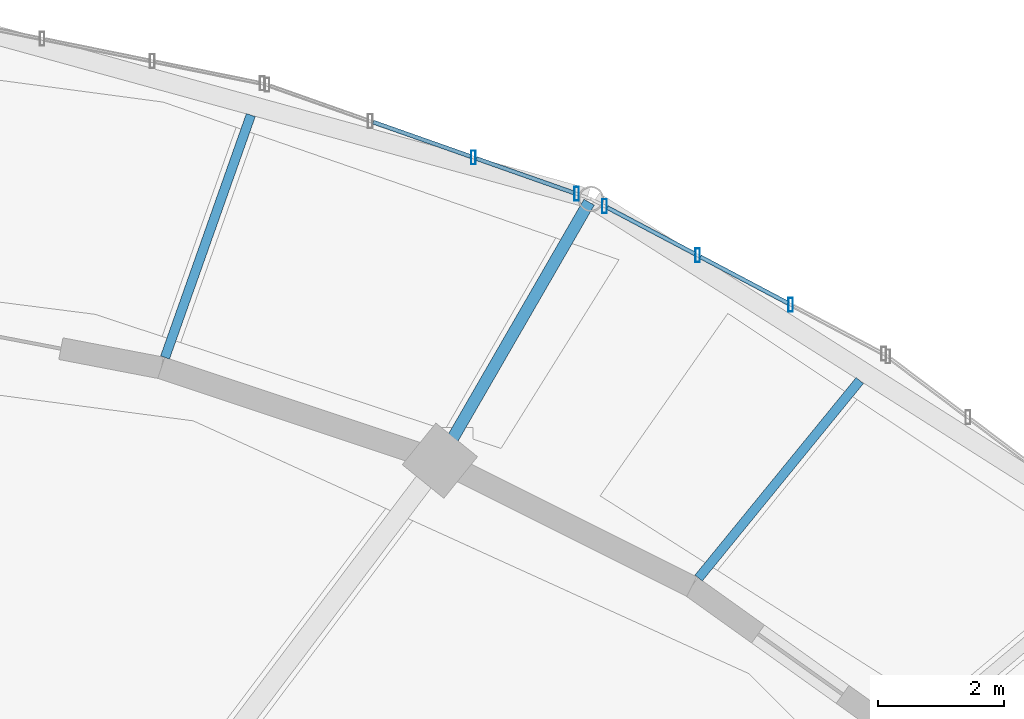
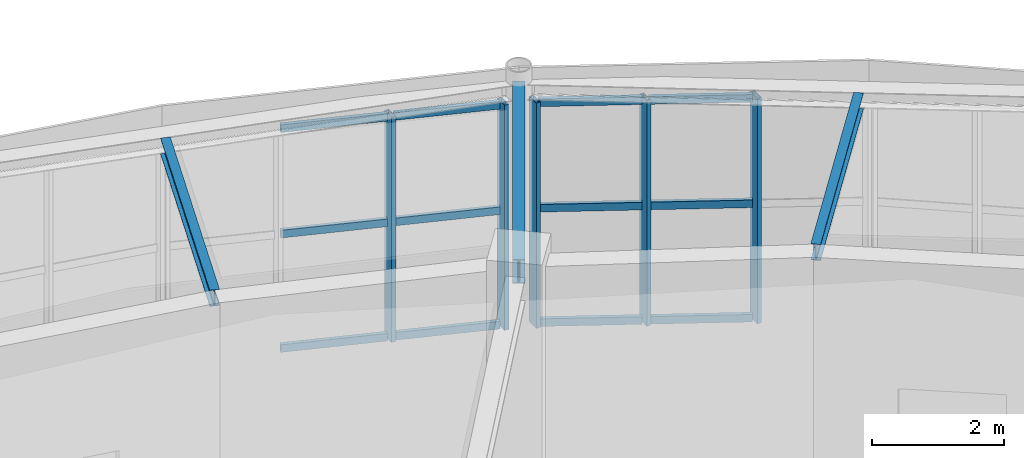
# One storey, part 51 of 100: 17 members, 3 beams, 2 elements without a shape of their own.
"""IFC4 building model written with IfcOpenShell, lengths in metres."""

from ifc_helpers import new_model, si_unit, direction, frame, origin, origin_2d, place, context, subcontext, project, spatial, hollow_rectangle, i_section, extrude, material, material_profile, profile_set, type_object, element, aggregate, save


model = new_model("IFC4")

# Units and contexts
model_context = context("Model", 3, precision=1e-05, world=origin(), true_north=direction((0.0, 1.0)))
body_context = subcontext(model_context, "Body", "Model", "MODEL_VIEW")
ifc_project = project(units=[si_unit("LENGTHUNIT", "METRE"), si_unit("AREAUNIT", "SQUARE_METRE"), si_unit("VOLUMEUNIT", "CUBIC_METRE"), si_unit("PLANEANGLEUNIT", "RADIAN"), si_unit("MASSUNIT", "GRAM", prefix="KILO")], contexts=[model_context])

# Site, building, storey
site_placement = place(None, origin())
site = spatial("IfcSite", under=ifc_project, at=site_placement, CompositionType="ELEMENT")
building_placement = place(site_placement, origin())
building = spatial("IfcBuilding", under=site, at=building_placement, Name="Tarnveldt Headland Concert Hall", CompositionType="ELEMENT")
storey_placement = place(building_placement, frame((0.0, 0.0, 4.800048828125)))
storey = spatial("IfcBuildingStorey", under=building, at=storey_placement, Name="L01", CompositionType="ELEMENT", Elevation=4.800048828125)

# Curtain wall, members
ifc_material_1 = material(Name="Marine-anodised aluminium EN AW-6063-T6", Category="aluminium")
curtain_wall_type = type_object("IfcCurtainWallType", Name="CW-F2", PredefinedType="NOTDEFINED", material=ifc_material_1)
curtain_wall_1_placement = place(storey_placement, origin())
curtain_wall_1 = element("IfcCurtainWall", 1, at=curtain_wall_1_placement, inside=storey, type_object=curtain_wall_type, Name="Curtain wall CW-L01-032", PredefinedType="NOTDEFINED")
ifc_material_profile_1 = material_profile(ifc_material_1, hollow_rectangle(XDim=0.074951171875, YDim=0.219970703125, WallThickness=0.0048828125, at=origin_2d()), Name="ALU MULLION 75x220x5", Category="aluminium")
ifc_profile_set_1 = profile_set([ifc_material_profile_1], Name="Marine-anodised aluminium EN AW-6063-T6")
member_type_1 = type_object("IfcMemberType", Name="ML-200", PredefinedType="MULLION", material=ifc_profile_set_1)
member_1_placement = place(storey_placement, frame((103.0703125, 74.298828125, 0.0), z_axis=(0.0, 0.0, 1.0), x_axis=(1.0, 0.0, 0.0)))
member_1 = element("IfcMember", 2, at=member_1_placement, type_object=member_type_1, Name="Mullion CW-L01-032-2", PredefinedType="MULLION", context=body_context, shape_type="SweptSolid", body=[
    extrude(hollow_rectangle(XDim=0.074951171875, YDim=0.219970703125, WallThickness=0.0048828125, at=origin_2d()), origin(), (0.0, 0.0, 1.0), 4.159912109375),
])
member_2_placement = place(storey_placement, frame((101.592529296875, 75.081298828125, 0.0), z_axis=(0.0, 0.0, 1.0), x_axis=(1.0, 0.0, 0.0)))
member_2 = element("IfcMember", 3, at=member_2_placement, type_object=member_type_1, Name="Mullion CW-L01-032-3", PredefinedType="MULLION", context=body_context, shape_type="SweptSolid", body=[
    extrude(hollow_rectangle(XDim=0.074951171875, YDim=0.219970703125, WallThickness=0.0048828125, at=origin_2d()), origin(), (0.0, 0.0, 1.0), 4.159912109375),
])
member_3_placement = place(storey_placement, frame((100.114990234375, 75.863525390625, 0.0), z_axis=(0.0, 0.0, 1.0), x_axis=(1.0, 0.0, 0.0)))
member_3 = element("IfcMember", 4, at=member_3_placement, type_object=member_type_1, Name="Mullion CW-L01-032-4", PredefinedType="MULLION", context=body_context, shape_type="SweptSolid", body=[
    extrude(hollow_rectangle(XDim=0.074951171875, YDim=0.219970703125, WallThickness=0.0048828125, at=origin_2d()), origin(), (0.0, 0.0, 1.0), 4.159912109375),
])

curtain_wall_2_placement = place(storey_placement, origin())
curtain_wall_2 = element("IfcCurtainWall", 5, at=curtain_wall_2_placement, inside=storey, type_object=curtain_wall_type, Name="Curtain wall CW-L01-033", PredefinedType="NOTDEFINED")
member_4_placement = place(storey_placement, frame((99.670654296875, 76.058349609375, 0.0), z_axis=(0.0, 0.0, 1.0), x_axis=(1.0, 0.0, 0.0)))
member_4 = element("IfcMember", 6, at=member_4_placement, type_object=member_type_1, Name="Mullion CW-L01-033-1", PredefinedType="MULLION", context=body_context, shape_type="SweptSolid", body=[
    extrude(hollow_rectangle(XDim=0.074951171875, YDim=0.219970703125, WallThickness=0.0048828125, at=origin_2d()), origin(), (0.0, 0.0, 1.0), 4.159912109375),
])
member_5_placement = place(storey_placement, frame((98.032470703125, 76.635986328125, 0.0), z_axis=(0.0, 0.0, 1.0), x_axis=(1.0, 0.0, 0.0)))
member_5 = element("IfcMember", 7, at=member_5_placement, type_object=member_type_1, Name="Mullion CW-L01-033-2", PredefinedType="MULLION", context=body_context, shape_type="SweptSolid", body=[
    extrude(hollow_rectangle(XDim=0.074951171875, YDim=0.219970703125, WallThickness=0.0048828125, at=origin_2d()), origin(), (0.0, 0.0, 1.0), 4.159912109375),
])

# Beams
ifc_material_2 = material(Name="Steel S355", Category="steel")
ifc_material_profile_2 = material_profile(ifc_material_2, i_section(OverallWidth=0.14990234375, OverallDepth=0.300048828125, WebThickness=0.007080078125, FlangeThickness=0.0107421875, FilletRadius=0.014892578125, at=origin_2d()), Name="IPE300", Category="steel")
ifc_profile_set_2 = profile_set([ifc_material_profile_2], Name="Steel S355")
beam_type_1 = type_object("IfcBeamType", Name="SB-IPE300", PredefinedType="JOIST", material=ifc_profile_set_2)
beam_1_placement = place(storey_placement, frame((101.608642578125, 69.95654296875, 4.389892578125), z_axis=(0.63225535632, 0.774760068928, 0.0), x_axis=(-0.774760068928, 0.63225535632, 0.0)))
element("IfcBeam", 8, at=beam_1_placement, inside=storey, type_object=beam_type_1, Name="Framing beam L01-686", PredefinedType="JOIST", context=body_context, shape_type="SweptSolid", body=[
    extrude(i_section(OverallWidth=0.14990234375, OverallDepth=0.300048828125, WebThickness=0.007080078125, FlangeThickness=0.0107421875, FilletRadius=0.014892578125, at=origin_2d()), origin(), (0.0, 0.0, 1.0), 4.04833984375),
])
beam_2_placement = place(storey_placement, frame((93.135009765625, 73.458984375, 4.389892578125), z_axis=(0.33369553072, 0.942680907188, 0.0), x_axis=(-0.942680907188, 0.33369553072, 0.0)))
element("IfcBeam", 9, at=beam_2_placement, inside=storey, type_object=beam_type_1, Name="Framing beam L01-689", PredefinedType="JOIST", context=body_context, shape_type="SweptSolid", body=[
    extrude(i_section(OverallWidth=0.14990234375, OverallDepth=0.300048828125, WebThickness=0.007080078125, FlangeThickness=0.0107421875, FilletRadius=0.014892578125, at=origin_2d()), origin(), (0.0, 0.0, 1.0), 4.083984375),
])
ifc_material_profile_3 = material_profile(ifc_material_2, i_section(OverallWidth=0.18994140625, OverallDepth=0.449951171875, WebThickness=0.009521484375, FlangeThickness=0.0146484375, FilletRadius=0.02099609375, at=origin_2d()), Name="IPE450", Category="steel")
ifc_profile_set_3 = profile_set([ifc_material_profile_3], Name="Steel S355")
beam_type_2 = type_object("IfcBeamType", Name="SB-IPE450", PredefinedType="BEAM", material=ifc_profile_set_3)
beam_3_placement = place(storey_placement, frame((97.52001953125, 71.85498046875, 4.31494140625), z_axis=(0.500016218704, 0.866016039709, 0.0), x_axis=(-0.866016039709, 0.500016218704, 0.0)))
element("IfcBeam", 10, at=beam_3_placement, inside=storey, type_object=beam_type_2, Name="Framing beam L01-688", PredefinedType="BEAM", context=body_context, shape_type="SweptSolid", body=[
    extrude(i_section(OverallWidth=0.18994140625, OverallDepth=0.449951171875, WebThickness=0.009521484375, FlangeThickness=0.0146484375, FilletRadius=0.02099609375, at=origin_2d()), origin(), (0.0, 0.0, 1.0), 4.699951171875),
])

# Member
ifc_material_profile_4 = material_profile(ifc_material_1, hollow_rectangle(XDim=0.06494140625, YDim=0.139892578125, WallThickness=0.00390625, at=origin_2d()), Name="ALU TRANSOM 65x140x4", Category="aluminium")
ifc_profile_set_4 = profile_set([ifc_material_profile_4], Name="Marine-anodised aluminium EN AW-6063-T6")
member_type_2 = type_object("IfcMemberType", Name="TR-140", PredefinedType="MEMBER", material=ifc_profile_set_4)
member_6_placement = place(storey_placement, frame((103.026611328125, 74.322021484375, 0.050048828125), z_axis=(-0.883787916347, 0.467887720419, 0.0), x_axis=(-0.467887720419, -0.883787916347, 0.0)))
member_6 = element("IfcMember", 11, at=member_6_placement, type_object=member_type_2, Name="Transom CW-L01-032-2-1", PredefinedType="MEMBER", context=body_context, shape_type="SweptSolid", body=[
    extrude(hollow_rectangle(XDim=0.06494140625, YDim=0.139892578125, WallThickness=0.00390625, at=origin_2d()), origin(), (0.0, 0.0, 1.0), 1.5732421875),
])

member_7_placement = place(storey_placement, frame((103.026611328125, 74.322021484375, 2.1630859375), z_axis=(-0.883787916347, 0.467887720419, 0.0), x_axis=(-0.467887720419, -0.883787916347, 0.0)))
member_7 = element("IfcMember", 12, at=member_7_placement, type_object=member_type_2, Name="Transom CW-L01-032-2-2", PredefinedType="MEMBER", context=body_context, shape_type="SweptSolid", body=[
    extrude(hollow_rectangle(XDim=0.06494140625, YDim=0.139892578125, WallThickness=0.00390625, at=origin_2d()), origin(), (0.0, 0.0, 1.0), 1.5732421875),
])

member_8_placement = place(storey_placement, frame((103.026611328125, 74.322021484375, 4.10986328125), z_axis=(-0.883787916347, 0.467887720419, 0.0), x_axis=(-0.467887720419, -0.883787916347, 0.0)))
member_8 = element("IfcMember", 13, at=member_8_placement, type_object=member_type_2, Name="Transom CW-L01-032-2-3", PredefinedType="MEMBER", context=body_context, shape_type="SweptSolid", body=[
    extrude(hollow_rectangle(XDim=0.06494140625, YDim=0.139892578125, WallThickness=0.00390625, at=origin_2d()), origin(), (0.0, 0.0, 1.0), 1.5732421875),
])

member_9_placement = place(storey_placement, frame((101.548828125, 75.1044921875, 0.050048828125), z_axis=(-0.883818119323, 0.467830665901, 0.0), x_axis=(-0.467830665901, -0.883818119323, 0.0)))
member_9 = element("IfcMember", 14, at=member_9_placement, type_object=member_type_2, Name="Transom CW-L01-032-3-1", PredefinedType="MEMBER", context=body_context, shape_type="SweptSolid", body=[
    extrude(hollow_rectangle(XDim=0.06494140625, YDim=0.139892578125, WallThickness=0.00390625, at=origin_2d()), origin(), (0.0, 0.0, 1.0), 1.572998046875),
])

member_10_placement = place(storey_placement, frame((101.548828125, 75.1044921875, 2.1630859375), z_axis=(-0.883818119323, 0.467830665901, 0.0), x_axis=(-0.467830665901, -0.883818119323, 0.0)))
member_10 = element("IfcMember", 15, at=member_10_placement, type_object=member_type_2, Name="Transom CW-L01-032-3-2", PredefinedType="MEMBER", context=body_context, shape_type="SweptSolid", body=[
    extrude(hollow_rectangle(XDim=0.06494140625, YDim=0.139892578125, WallThickness=0.00390625, at=origin_2d()), origin(), (0.0, 0.0, 1.0), 1.572998046875),
])

member_11_placement = place(storey_placement, frame((101.548828125, 75.1044921875, 4.10986328125), z_axis=(-0.883818119323, 0.467830665901, 0.0), x_axis=(-0.467830665901, -0.883818119323, 0.0)))
member_11 = element("IfcMember", 16, at=member_11_placement, type_object=member_type_2, Name="Transom CW-L01-032-3-3", PredefinedType="MEMBER", context=body_context, shape_type="SweptSolid", body=[
    extrude(hollow_rectangle(XDim=0.06494140625, YDim=0.139892578125, WallThickness=0.00390625, at=origin_2d()), origin(), (0.0, 0.0, 1.0), 1.572998046875),
])

aggregate(curtain_wall_1, [member_1, member_2, member_3, member_6, member_7, member_8, member_9, member_10, member_11])

member_12_placement = place(storey_placement, frame((99.623779296875, 76.07470703125, 0.050048828125), z_axis=(-0.943086608154, 0.332547213971, 0.0), x_axis=(-0.332547213971, -0.943086608154, 0.0)))
member_12 = element("IfcMember", 17, at=member_12_placement, type_object=member_type_2, Name="Transom CW-L01-033-1-1", PredefinedType="MEMBER", context=body_context, shape_type="SweptSolid", body=[
    extrude(hollow_rectangle(XDim=0.06494140625, YDim=0.139892578125, WallThickness=0.00390625, at=origin_2d()), origin(), (0.0, 0.0, 1.0), 1.637939453125),
])

member_13_placement = place(storey_placement, frame((99.623779296875, 76.07470703125, 2.1630859375), z_axis=(-0.943086608154, 0.332547213971, 0.0), x_axis=(-0.332547213971, -0.943086608154, 0.0)))
member_13 = element("IfcMember", 18, at=member_13_placement, type_object=member_type_2, Name="Transom CW-L01-033-1-2", PredefinedType="MEMBER", context=body_context, shape_type="SweptSolid", body=[
    extrude(hollow_rectangle(XDim=0.06494140625, YDim=0.139892578125, WallThickness=0.00390625, at=origin_2d()), origin(), (0.0, 0.0, 1.0), 1.637939453125),
])

member_14_placement = place(storey_placement, frame((99.623779296875, 76.07470703125, 4.10986328125), z_axis=(-0.943086608154, 0.332547213971, 0.0), x_axis=(-0.332547213971, -0.943086608154, 0.0)))
member_14 = element("IfcMember", 19, at=member_14_placement, type_object=member_type_2, Name="Transom CW-L01-033-1-3", PredefinedType="MEMBER", context=body_context, shape_type="SweptSolid", body=[
    extrude(hollow_rectangle(XDim=0.06494140625, YDim=0.139892578125, WallThickness=0.00390625, at=origin_2d()), origin(), (0.0, 0.0, 1.0), 1.637939453125),
])

member_15_placement = place(storey_placement, frame((97.985595703125, 76.65234375, 0.050048828125), z_axis=(-0.943086608154, 0.332547213971, 0.0), x_axis=(-0.332547213971, -0.943086608154, 0.0)))
member_15 = element("IfcMember", 20, at=member_15_placement, type_object=member_type_2, Name="Transom CW-L01-033-2-1", PredefinedType="MEMBER", context=body_context, shape_type="SweptSolid", body=[
    extrude(hollow_rectangle(XDim=0.06494140625, YDim=0.139892578125, WallThickness=0.00390625, at=origin_2d()), origin(), (0.0, 0.0, 1.0), 1.637939453125),
])

member_16_placement = place(storey_placement, frame((97.985595703125, 76.65234375, 2.1630859375), z_axis=(-0.943086608154, 0.332547213971, 0.0), x_axis=(-0.332547213971, -0.943086608154, 0.0)))
member_16 = element("IfcMember", 21, at=member_16_placement, type_object=member_type_2, Name="Transom CW-L01-033-2-2", PredefinedType="MEMBER", context=body_context, shape_type="SweptSolid", body=[
    extrude(hollow_rectangle(XDim=0.06494140625, YDim=0.139892578125, WallThickness=0.00390625, at=origin_2d()), origin(), (0.0, 0.0, 1.0), 1.637939453125),
])

member_17_placement = place(storey_placement, frame((97.985595703125, 76.65234375, 4.10986328125), z_axis=(-0.943086608154, 0.332547213971, 0.0), x_axis=(-0.332547213971, -0.943086608154, 0.0)))
member_17 = element("IfcMember", 22, at=member_17_placement, type_object=member_type_2, Name="Transom CW-L01-033-2-3", PredefinedType="MEMBER", context=body_context, shape_type="SweptSolid", body=[
    extrude(hollow_rectangle(XDim=0.06494140625, YDim=0.139892578125, WallThickness=0.00390625, at=origin_2d()), origin(), (0.0, 0.0, 1.0), 1.637939453125),
])

aggregate(curtain_wall_2, [member_4, member_5, member_12, member_13, member_14, member_15, member_16, member_17])

save(model, "model.ifc")
